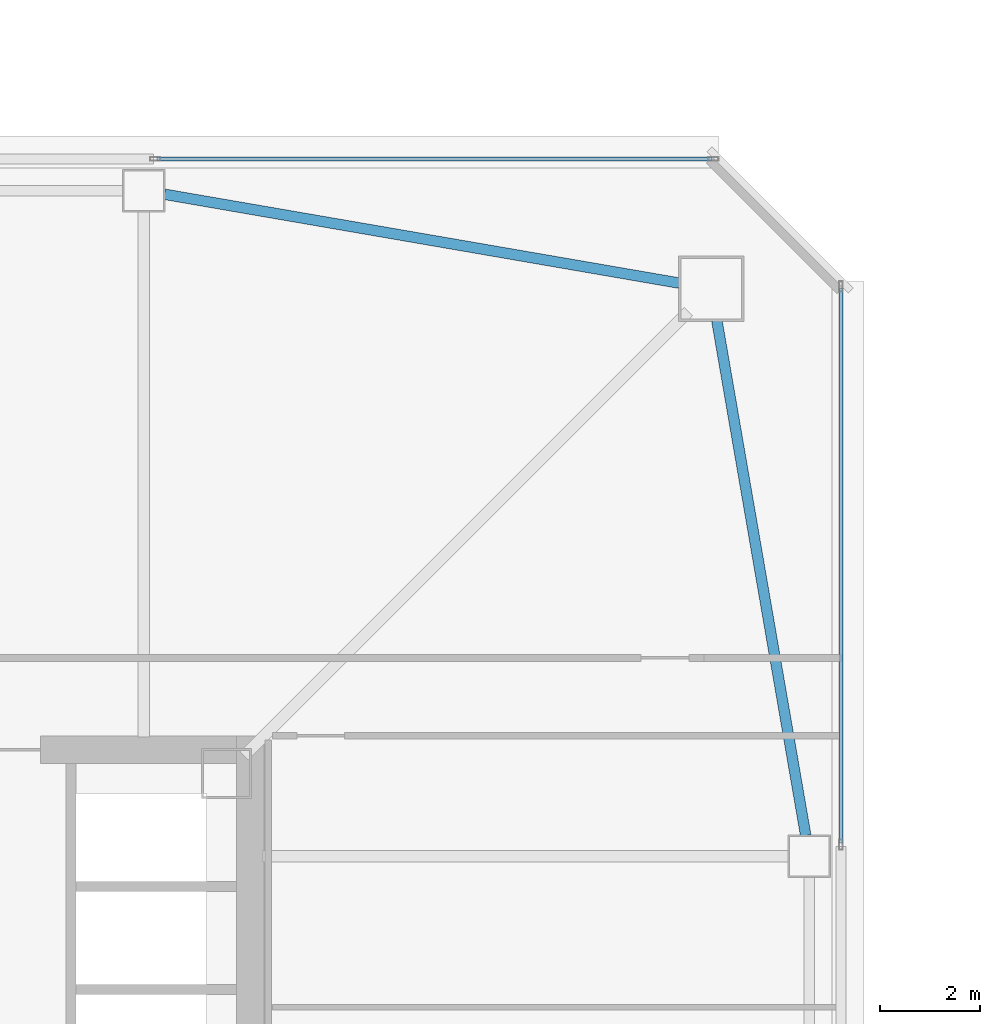
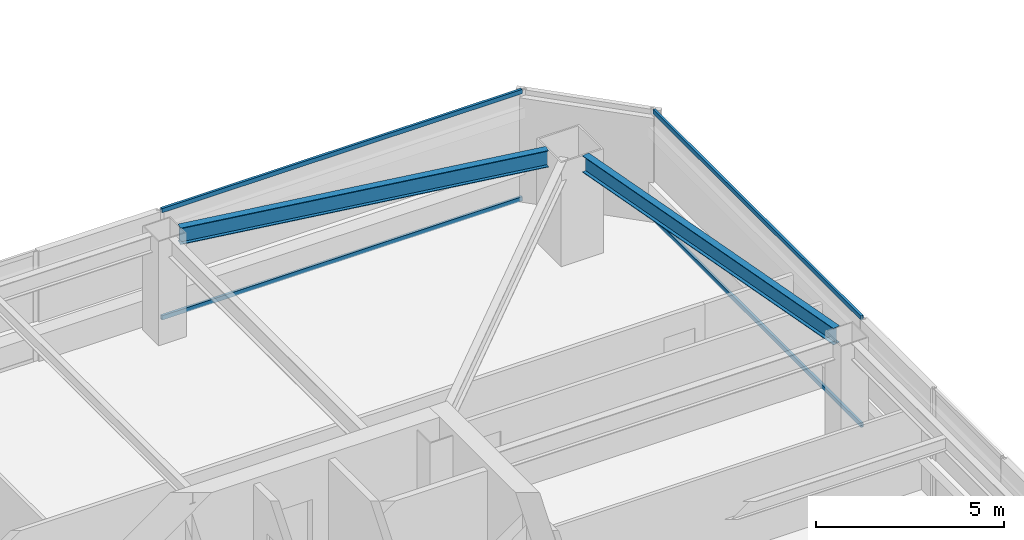
# One storey, part 15 of 42: 4 members, 2 beams, 2 elements without a shape of their own.
"""IFC4 building model written with IfcOpenShell, lengths in metres."""

from ifc_helpers import new_model, si_unit, direction, frame, origin, origin_2d, place, context, subcontext, project, spatial, hollow_rectangle, i_section, extrude, material, material_profile, profile_set, type_object, element, aggregate, save


model = new_model("IFC4")

# Units and contexts
model_context = context("Model", 3, precision=1e-05, world=origin(), true_north=direction((0.0, 1.0)))
body_context = subcontext(model_context, "Body", "Model", "MODEL_VIEW")
ifc_project = project(units=[si_unit("LENGTHUNIT", "METRE"), si_unit("AREAUNIT", "SQUARE_METRE"), si_unit("VOLUMEUNIT", "CUBIC_METRE"), si_unit("PLANEANGLEUNIT", "RADIAN"), si_unit("MASSUNIT", "GRAM", prefix="KILO")], contexts=[model_context])

# Site, building, storey
site_placement = place(None, origin())
site = spatial("IfcSite", under=ifc_project, at=site_placement, CompositionType="ELEMENT")
building_placement = place(site_placement, origin())
building = spatial("IfcBuilding", under=site, at=building_placement, Name="Tashvorn Skyway Center", CompositionType="ELEMENT")
storey_placement = place(building_placement, frame((0.0, 0.0, 121.5)))
storey = spatial("IfcBuildingStorey", under=building, at=storey_placement, Name="L32", CompositionType="ELEMENT", Elevation=121.5)

# Beams
ifc_material_1 = material(Name="Steel ASTM A992 Grade 50", Category="steel")
ifc_material_profile_1 = material_profile(ifc_material_1, i_section(OverallWidth=0.2109375, OverallDepth=0.5390625, WebThickness=0.01171875, FlangeThickness=0.018798828125, at=origin_2d()), Name="W21X73")
ifc_profile_set_1 = profile_set([ifc_material_profile_1], Name="Steel ASTM A992 Grade 50")
beam_type = type_object("IfcBeamType", Name="BM-SPANDREL-W21X73", PredefinedType="SPANDREL", material=ifc_profile_set_1)
for number, where, z_axis, x_axis, name in (
    (1, (60.57861328125, 37.81396484375, 3.1005859375), (-0.170067250846, 0.985432458462, 0.0), (-0.985432458462, -0.170067250846, 0.0), "Tower 1 L32 Spandrel Beam 06"),
    (2, (58.064453125, 48.8095703125, 3.1005859375), (-0.985432458462, 0.170067250846, 0.0), (-0.170067250846, -0.985432458462, 0.0), "Tower 1 L32 Spandrel Beam 07"),
):
    element("IfcBeam", number, at=place(storey_placement, frame(where, z_axis=z_axis, x_axis=x_axis)), inside=storey, type_object=beam_type, Name=name, PredefinedType="SPANDREL", context=body_context, shape_type="SweptSolid", body=[
        extrude(i_section(OverallWidth=0.2109375, OverallDepth=0.5390625, WebThickness=0.01171875, FlangeThickness=0.018798828125, at=origin_2d()), origin(), (0.0, 0.0, 1.0), 10.402099609375),
    ])

# Curtain wall, members
ifc_material_2 = material(Name="Thermally broken bronze-anodized aluminium 6063-T6", Category="aluminium")
curtain_wall_type = type_object("IfcCurtainWallType", Name="CW-CW-Z3", PredefinedType="NOTDEFINED", material=ifc_material_2)
curtain_wall_1_placement = place(storey_placement, origin())
curtain_wall_1 = element("IfcCurtainWall", 3, at=curtain_wall_1_placement, inside=storey, type_object=curtain_wall_type, Name="Tower 1 L32 North Unitised Curtain Wall Glazing Group 3", PredefinedType="NOTDEFINED")
ifc_material_profile_2 = material_profile(ifc_material_2, hollow_rectangle(XDim=0.074951171875, YDim=0.139892578125, WallThickness=0.004150390625, at=origin_2d()), Name="ALU-TRAN-75x140")
ifc_profile_set_2 = profile_set([ifc_material_profile_2], Name="Thermally broken bronze-anodized aluminium 6063-T6")
member_type = type_object("IfcMemberType", Name="CWT-CW-Z3", PredefinedType="USERDEFINED", material=ifc_profile_set_2)
member_1_placement = place(storey_placement, frame((47.668212890625, 51.280029296875, 0.03759765625), z_axis=(1.0, 0.0, 0.0), x_axis=(0.0, 1.0, 0.0)))
member_1 = element("IfcMember", 4, at=member_1_placement, type_object=member_type, Name="CW-Z3 transom 1.1", ObjectType="TRANSOM", PredefinedType="USERDEFINED", context=body_context, shape_type="SweptSolid", body=[
    extrude(hollow_rectangle(XDim=0.074951171875, YDim=0.139892578125, WallThickness=0.004150390625, at=origin_2d()), origin(), (0.0, 0.0, 1.0), 11.036865234375),
])
member_2_placement = place(storey_placement, frame((47.668212890625, 51.280029296875, 3.512451171875), z_axis=(1.0, 0.0, 0.0), x_axis=(0.0, 1.0, 0.0)))
member_2 = element("IfcMember", 5, at=member_2_placement, type_object=member_type, Name="CW-Z3 transom 1.2", ObjectType="TRANSOM", PredefinedType="USERDEFINED", context=body_context, shape_type="SweptSolid", body=[
    extrude(hollow_rectangle(XDim=0.074951171875, YDim=0.139892578125, WallThickness=0.004150390625, at=origin_2d()), origin(), (0.0, 0.0, 1.0), 11.036865234375),
])
aggregate(curtain_wall_1, [member_1, member_2])

curtain_wall_2_placement = place(storey_placement, origin())
curtain_wall_2 = element("IfcCurtainWall", 6, at=curtain_wall_2_placement, inside=storey, type_object=curtain_wall_type, Name="Tower 1 L32 East Unitised Curtain Wall Glazing Group 1", PredefinedType="NOTDEFINED")
member_3_placement = place(storey_placement, frame((61.280029296875, 48.705078125, 0.03759765625), z_axis=(0.0, -1.0, 0.0), x_axis=(1.0, 0.0, 0.0)))
member_3 = element("IfcMember", 7, at=member_3_placement, type_object=member_type, Name="CW-Z3 transom 1.1", ObjectType="TRANSOM", PredefinedType="USERDEFINED", context=body_context, shape_type="SweptSolid", body=[
    extrude(hollow_rectangle(XDim=0.074951171875, YDim=0.139892578125, WallThickness=0.004150390625, at=origin_2d()), origin(), (0.0, 0.0, 1.0), 11.036865234375),
])
member_4_placement = place(storey_placement, frame((61.280029296875, 48.705078125, 3.512451171875), z_axis=(0.0, -1.0, 0.0), x_axis=(1.0, 0.0, 0.0)))
member_4 = element("IfcMember", 8, at=member_4_placement, type_object=member_type, Name="CW-Z3 transom 1.2", ObjectType="TRANSOM", PredefinedType="USERDEFINED", context=body_context, shape_type="SweptSolid", body=[
    extrude(hollow_rectangle(XDim=0.074951171875, YDim=0.139892578125, WallThickness=0.004150390625, at=origin_2d()), origin(), (0.0, 0.0, 1.0), 11.036865234375),
])
aggregate(curtain_wall_2, [member_3, member_4])

save(model, "model.ifc")
